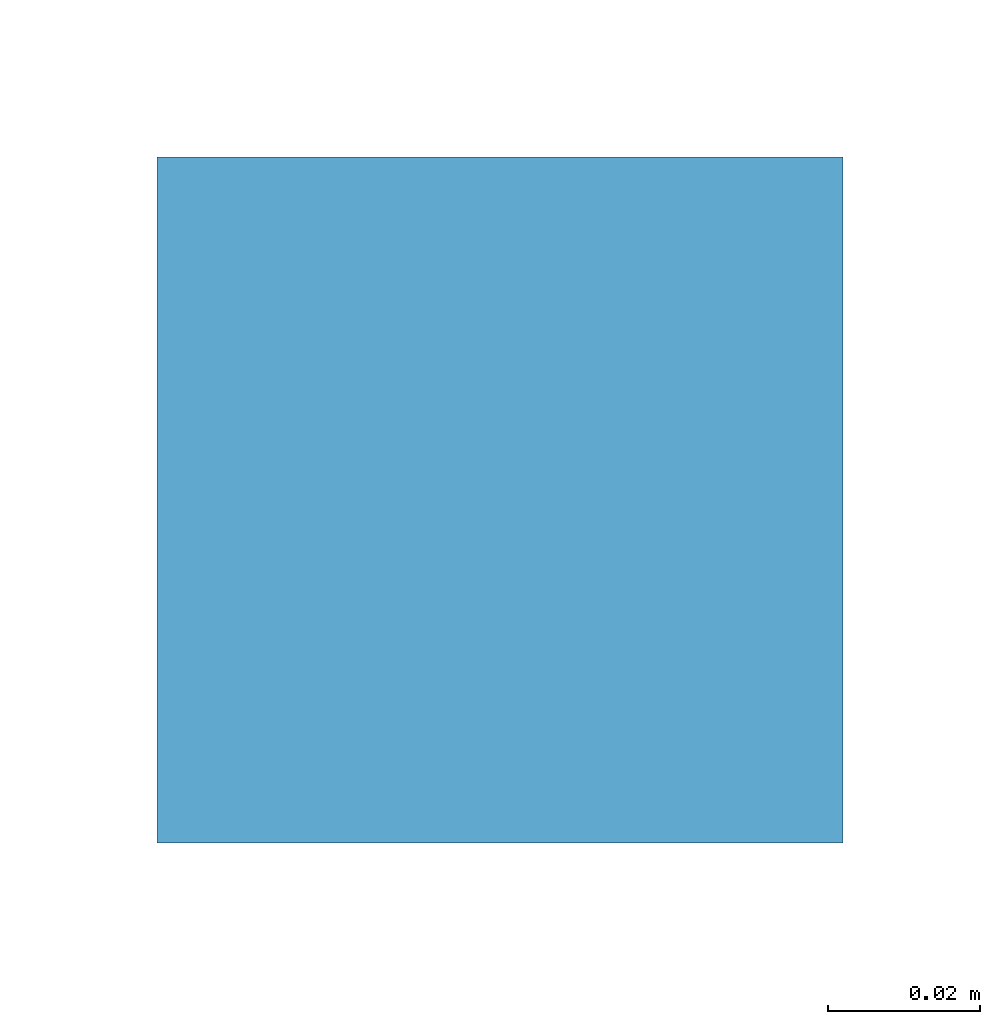
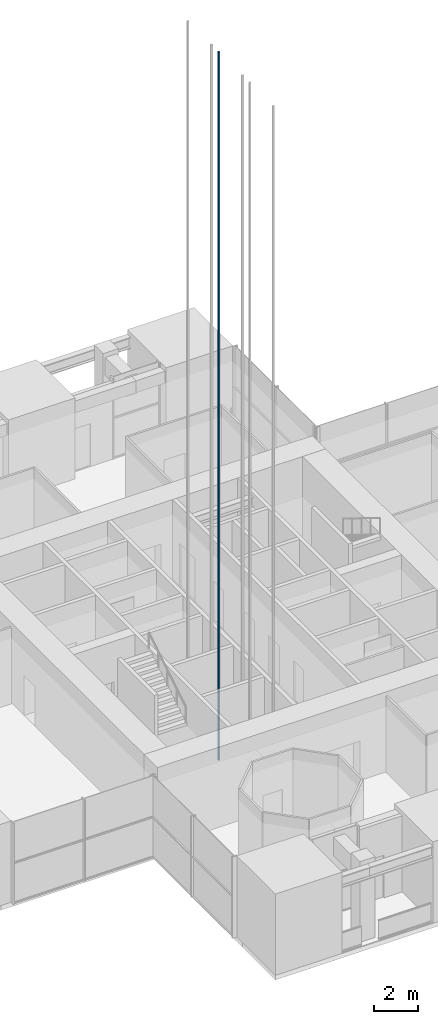
# One storey, part 11 of 17: 1 discrete accessory.
"""IFC4 building model written with IfcOpenShell, lengths in metres."""

from ifc_helpers import new_model, si_unit, direction, frame, origin, origin_2d, place, context, subcontext, project, spatial, rectangle, extrude, element, save


model = new_model("IFC4")

# Units and contexts
model_context = context("Model", 3, precision=1e-05, world=origin(), true_north=direction((0.0, 1.0)))
body_context = subcontext(model_context, "Body", "Model", "MODEL_VIEW")
ifc_project = project(units=[si_unit("LENGTHUNIT", "METRE"), si_unit("AREAUNIT", "SQUARE_METRE"), si_unit("VOLUMEUNIT", "CUBIC_METRE"), si_unit("PLANEANGLEUNIT", "RADIAN"), si_unit("MASSUNIT", "GRAM", prefix="KILO")], contexts=[model_context])

# Site, building, storey
site_placement = place(None, origin())
site = spatial("IfcSite", under=ifc_project, at=site_placement, CompositionType="ELEMENT")
building_placement = place(site_placement, origin())
building = spatial("IfcBuilding", under=site, at=building_placement, Name="Svetlomir Tower", CompositionType="ELEMENT")
storey_placement = place(building_placement, frame((0.0, 0.0, 239.5)))
storey = spatial("IfcBuildingStorey", under=building, at=storey_placement, Name="L57", CompositionType="ELEMENT", Elevation=239.5)

# Discrete accessory
discrete_accessory_placement = place(storey_placement, frame((18.300048828125, 17.77490234375, -1.39990234375), z_axis=(0.0, 0.0, 1.0), x_axis=(1.0, 0.0, 0.0)))
element("IfcDiscreteAccessory", 1, at=discrete_accessory_placement, inside=storey, Name="Lift LD2 guide rail 2", ObjectType="LIFT GUIDE RAIL", PredefinedType="USERDEFINED", context=body_context, shape_type="SweptSolid", body=[
    extrude(rectangle(XDim=0.090087890625, YDim=0.090087890625, at=origin_2d()), origin(), (0.0, 0.0, 1.0), 39.199951171875),
])

save(model, "model.ifc")
